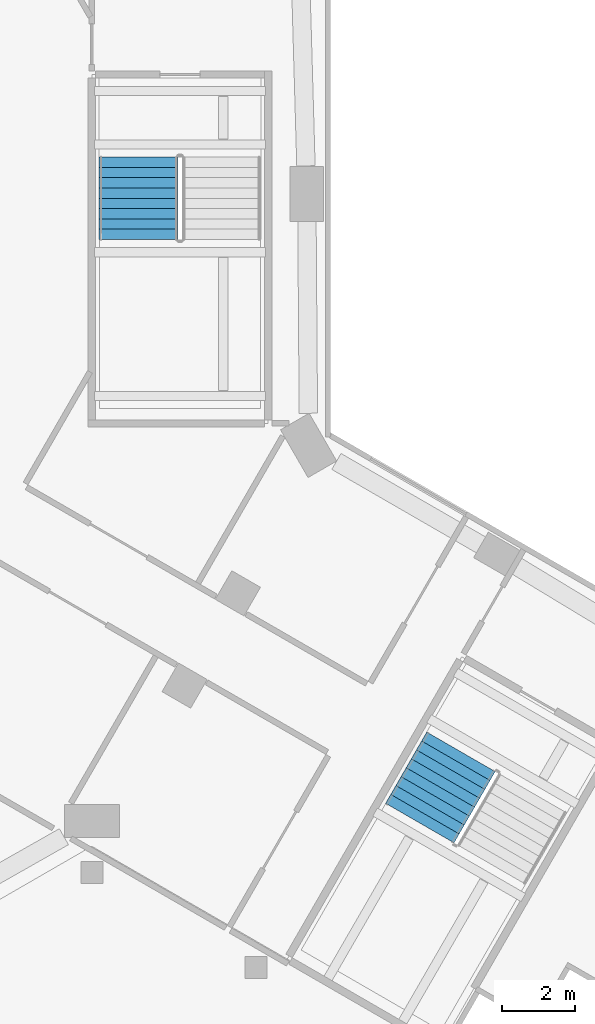
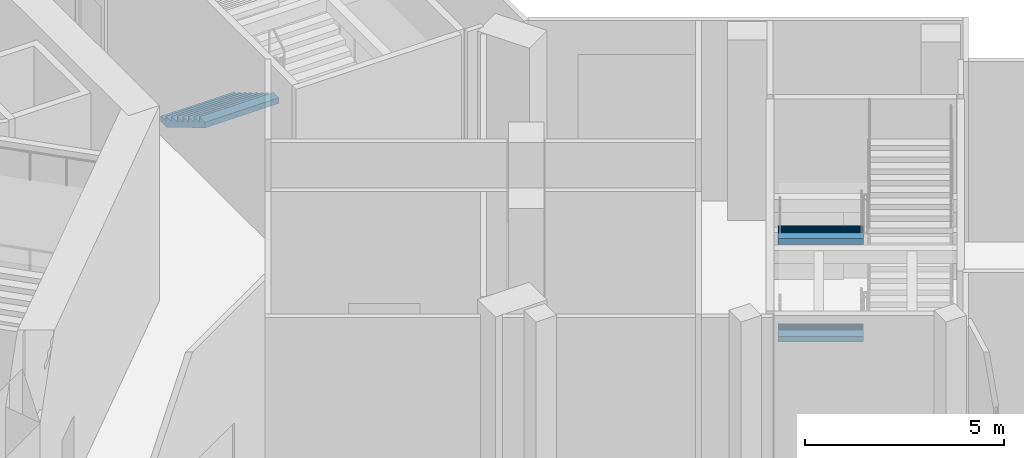
# One storey, part 19 of 29: 3 stair flights, 2 elements without a shape of their own.
"""IFC4 building model written with IfcOpenShell, lengths in metres."""

from ifc_helpers import new_model, si_unit, direction, frame, origin, place, context, subcontext, project, spatial, triangles, material, type_object, element, aggregate, save


model = new_model("IFC4")

# Units and contexts
model_context = context("Model", 3, precision=1e-05, world=origin(), true_north=direction((0.0, 1.0)))
body_context = subcontext(model_context, "Body", "Model", "MODEL_VIEW")
ifc_project = project(units=[si_unit("LENGTHUNIT", "METRE"), si_unit("AREAUNIT", "SQUARE_METRE"), si_unit("VOLUMEUNIT", "CUBIC_METRE"), si_unit("PLANEANGLEUNIT", "RADIAN"), si_unit("MASSUNIT", "GRAM", prefix="KILO")], contexts=[model_context])

# Site, building, storey
site_placement = place(None, origin())
site = spatial("IfcSite", under=ifc_project, at=site_placement, CompositionType="ELEMENT")
building_placement = place(site_placement, origin())
building = spatial("IfcBuilding", under=site, at=building_placement, Name="Verdalira Terraces Hotel", CompositionType="ELEMENT")
storey_placement = place(building_placement, frame((0.0, 0.0, 8.0)))
storey = spatial("IfcBuildingStorey", under=building, at=storey_placement, Name="L01", CompositionType="ELEMENT", Elevation=8.0)

# Stair, stair flights
ifc_material_1 = material(Name="Concrete C40", Category="concrete")
stair_type = type_object("IfcStairType", Name="Podium stair 36 risers", PredefinedType="HALF_TURN_STAIR", material=ifc_material_1)
stair_1_placement = place(storey_placement, origin())
stair_1 = element("IfcStair", 1, at=stair_1_placement, inside=storey, type_object=stair_type, Name="L01 Exit stair PS3", PredefinedType="HALF_TURN_STAIR")
ifc_material_2 = material(Name="Concrete C40", Category="concrete")
stair_flight_type = type_object("IfcStairFlightType", Name="Podium stair flight 36 risers", PredefinedType="STRAIGHT", material=ifc_material_2)
stair_flight_1_placement = place(storey_placement, frame((27.806396, -15.187988, 0.0), z_axis=(0.0, 0.0, 1.0), x_axis=(-0.5, -0.866025404, 0.0)))
stair_flight_1 = element("IfcStairFlight", 2, at=stair_flight_1_placement, type_object=stair_flight_type, Name="PS3 flight 1", NumberOfRisers=9, NumberOfTreads=8, PredefinedType="STRAIGHT", RiserHeight=0.166666667, TreadLength=0.28, context=body_context, shape_type="Tessellation", body=[
    triangles([(0.0, 1.074951, 0.0), (0.292969, 1.074951, 0.0), (2.23999, 1.074951, 1.158936), (0.0, -1.074951, 0.0), (0.292969, -1.074951, 0.0), (2.23999, -1.074951, 1.158936), (2.23999, 1.074951, 1.333252), (1.959961, 1.074951, 1.333252), (2.23999, -1.074951, 1.333252), (1.959961, -1.074951, 1.333252), (1.959961, 1.074951, 1.166748), (1.959961, -1.074951, 1.166748), (1.679932, 1.074951, 1.166748), (1.679932, -1.074951, 1.166748), (1.679932, 1.074951, 1.0), (1.679932, -1.074951, 1.0), (1.399902, 1.074951, 1.0), (1.399902, 1.074951, 0.833252), (1.399902, -1.074951, 1.0), (1.399902, -1.074951, 0.833252), (1.120117, 1.074951, 0.833252), (1.120117, 1.074951, 0.666748), (1.120117, -1.074951, 0.833252), (1.120117, -1.074951, 0.666748), (0.840088, 1.074951, 0.666748), (0.840088, 1.074951, 0.5), (0.840088, -1.074951, 0.666748), (0.840088, -1.074951, 0.5), (0.560059, 1.074951, 0.5), (0.560059, 1.074951, 0.333252), (0.560059, -1.074951, 0.5), (0.560059, -1.074951, 0.333252), (0.280029, 1.074951, 0.333252), (0.280029, 1.074951, 0.166748), (0.280029, -1.074951, 0.333252), (0.280029, -1.074951, 0.166748), (0.0, 1.074951, 0.166748), (0.0, -1.074951, 0.166748), (0.0, -1.007767, 0.0), (0.0, -1.007767, 0.166748), (0.0, -0.940582, 0.0), (0.0, -0.940582, 0.166748), (0.0, -0.873398, 0.0), (0.0, -0.873398, 0.166748), (0.0, -0.806213, 0.0), (0.0, -0.806213, 0.166748), (0.0, -0.739029, 0.0), (0.0, -0.739029, 0.166748), (0.0, -0.671844, 0.0), (0.0, -0.671844, 0.166748), (0.0, -0.60466, 0.0), (0.0, -0.60466, 0.166748), (0.0, -0.537476, 0.0), (0.0, -0.537476, 0.166748), (0.0, -0.470291, 0.0), (0.0, -0.470291, 0.166748), (0.0, -0.403107, 0.0), (0.0, -0.403107, 0.166748), (0.0, -0.335922, 0.0), (0.0, -0.335922, 0.166748), (0.0, -0.268738, 0.0), (0.0, -0.268738, 0.166748), (0.0, -0.201553, 0.0), (0.0, -0.201553, 0.166748), (0.0, -0.134369, 0.0), (0.0, -0.134369, 0.166748), (0.0, -0.067184, 0.0), (0.0, -0.067184, 0.166748), (0.0, 0.0, 0.0), (0.0, 0.0, 0.166748), (0.0, 0.067184, 0.0), (0.0, 0.067184, 0.166748), (0.0, 0.134369, 0.0), (0.0, 0.134369, 0.166748), (0.0, 0.201553, 0.0), (0.0, 0.201553, 0.166748), (0.0, 0.268738, 0.0), (0.0, 0.268738, 0.166748), (0.0, 0.335922, 0.0), (0.0, 0.335922, 0.166748), (0.0, 0.403107, 0.0), (0.0, 0.403107, 0.166748), (0.0, 0.470291, 0.0), (0.0, 0.470291, 0.166748), (0.0, 0.537476, 0.0), (0.0, 0.537476, 0.166748), (0.0, 0.60466, 0.0), (0.0, 0.60466, 0.166748), (0.0, 0.671844, 0.0), (0.0, 0.671844, 0.166748), (0.0, 0.739029, 0.0), (0.0, 0.739029, 0.166748), (0.0, 0.806213, 0.0), (0.0, 0.806213, 0.166748), (0.0, 0.873398, 0.0), (0.0, 0.873398, 0.166748), (0.0, 0.940582, 0.0), (0.0, 0.940582, 0.166748), (0.0, 1.007767, 0.0), (0.0, 1.007767, 0.166748), (2.23999, -1.007767, 1.333252), (2.23999, -0.940582, 1.333252), (2.23999, -0.873398, 1.333252), (2.23999, -0.806213, 1.333252), (2.23999, -0.739029, 1.333252), (2.23999, -0.671844, 1.333252), (2.23999, -0.60466, 1.333252), (2.23999, -0.537476, 1.333252), (2.23999, -0.470291, 1.333252), (2.23999, -0.403107, 1.333252), (2.23999, -0.335922, 1.333252), (2.23999, -0.268738, 1.333252), (2.23999, -0.201553, 1.333252), (2.23999, -0.134369, 1.333252), (2.23999, -0.067184, 1.333252), (2.23999, 0.0, 1.333252), (2.23999, 0.067184, 1.333252), (2.23999, 0.134369, 1.333252), (2.23999, 0.201553, 1.333252), (2.23999, 0.268738, 1.333252), (2.23999, 0.335922, 1.333252), (2.23999, 0.403107, 1.333252), (2.23999, 0.470291, 1.333252), (2.23999, 0.537476, 1.333252), (2.23999, 0.60466, 1.333252), (2.23999, 0.671844, 1.333252), (2.23999, 0.739029, 1.333252), (2.23999, 0.806213, 1.333252), (2.23999, 0.873398, 1.333252), (2.23999, 0.940582, 1.333252), (2.23999, 1.007767, 1.333252), (2.23999, -1.007767, 1.158936), (2.23999, -0.940582, 1.158936), (2.23999, -0.873398, 1.158936), (2.23999, -0.806213, 1.158936), (2.23999, -0.739029, 1.158936), (2.23999, -0.671844, 1.158936), (2.23999, -0.60466, 1.158936), (2.23999, -0.537476, 1.158936), (2.23999, -0.470291, 1.158936), (2.23999, -0.403107, 1.158936), (2.23999, -0.335922, 1.158936), (2.23999, -0.268738, 1.158936), (2.23999, -0.201553, 1.158936), (2.23999, -0.134369, 1.158936), (2.23999, -0.067184, 1.158936), (2.23999, 0.0, 1.158936), (2.23999, 0.067184, 1.158936), (2.23999, 0.134369, 1.158936), (2.23999, 0.201553, 1.158936), (2.23999, 0.268738, 1.158936), (2.23999, 0.335922, 1.158936), (2.23999, 0.403107, 1.158936), (2.23999, 0.470291, 1.158936), (2.23999, 0.537476, 1.158936), (2.23999, 0.60466, 1.158936), (2.23999, 0.671844, 1.158936), (2.23999, 0.739029, 1.158936), (2.23999, 0.806213, 1.158936), (2.23999, 0.873398, 1.158936), (2.23999, 0.940582, 1.158936), (2.23999, 1.007767, 1.158936)], [[1, 3, 2], [4, 5, 6], [3, 8, 7], [6, 9, 10], [3, 11, 8], [6, 10, 12], [3, 13, 11], [6, 12, 14], [3, 15, 13], [6, 14, 16], [15, 18, 17], [16, 19, 20], [3, 18, 15], [6, 16, 20], [18, 22, 21], [20, 23, 24], [3, 22, 18], [6, 20, 24], [22, 26, 25], [24, 27, 28], [3, 26, 22], [6, 24, 28], [26, 30, 29], [28, 31, 32], [3, 30, 26], [6, 28, 32], [1, 30, 3], [4, 6, 32], [30, 34, 33], [32, 35, 36], [1, 34, 30], [4, 32, 36], [34, 1, 37], [36, 38, 4], [4, 40, 39], [4, 38, 40], [39, 42, 41], [39, 40, 42], [41, 44, 43], [41, 42, 44], [43, 46, 45], [43, 44, 46], [45, 48, 47], [45, 46, 48], [47, 50, 49], [47, 48, 50], [49, 52, 51], [49, 50, 52], [51, 54, 53], [51, 52, 54], [53, 56, 55], [53, 54, 56], [55, 58, 57], [55, 56, 58], [57, 60, 59], [57, 58, 60], [59, 62, 61], [59, 60, 62], [61, 64, 63], [61, 62, 64], [63, 66, 65], [63, 64, 66], [65, 68, 67], [65, 66, 68], [67, 70, 69], [67, 68, 70], [69, 72, 71], [69, 70, 72], [71, 74, 73], [71, 72, 74], [73, 76, 75], [73, 74, 76], [75, 78, 77], [75, 76, 78], [77, 80, 79], [77, 78, 80], [79, 82, 81], [79, 80, 82], [81, 84, 83], [81, 82, 84], [83, 86, 85], [83, 84, 86], [85, 88, 87], [85, 86, 88], [87, 90, 89], [87, 88, 90], [89, 92, 91], [89, 90, 92], [91, 94, 93], [91, 92, 94], [93, 96, 95], [93, 94, 96], [95, 98, 97], [95, 96, 98], [97, 100, 99], [97, 98, 100], [99, 37, 1], [99, 100, 37], [38, 36, 40], [40, 36, 42], [42, 36, 44], [44, 36, 46], [46, 36, 48], [48, 36, 50], [50, 36, 52], [52, 36, 54], [54, 36, 56], [56, 36, 58], [58, 36, 60], [60, 36, 62], [62, 36, 64], [64, 36, 66], [66, 36, 68], [68, 36, 70], [70, 36, 72], [72, 36, 74], [74, 36, 76], [76, 36, 78], [78, 36, 80], [80, 36, 82], [82, 36, 84], [84, 36, 86], [86, 36, 88], [88, 36, 90], [90, 36, 92], [92, 36, 94], [94, 36, 96], [96, 36, 98], [98, 36, 100], [100, 36, 37], [37, 36, 34], [36, 33, 34], [36, 35, 33], [35, 30, 33], [35, 32, 30], [32, 29, 30], [32, 31, 29], [31, 26, 29], [31, 28, 26], [28, 25, 26], [28, 27, 25], [27, 22, 25], [27, 24, 22], [24, 21, 22], [24, 23, 21], [23, 18, 21], [23, 20, 18], [20, 17, 18], [20, 19, 17], [19, 15, 17], [19, 16, 15], [16, 13, 15], [16, 14, 13], [14, 11, 13], [14, 12, 11], [12, 8, 11], [12, 10, 8], [9, 101, 10], [101, 102, 10], [102, 103, 10], [103, 104, 10], [104, 105, 10], [105, 106, 10], [106, 107, 10], [107, 108, 10], [108, 109, 10], [109, 110, 10], [110, 111, 10], [111, 112, 10], [112, 113, 10], [113, 114, 10], [114, 115, 10], [115, 116, 10], [116, 117, 10], [117, 118, 10], [118, 119, 10], [119, 120, 10], [120, 121, 10], [121, 122, 10], [122, 123, 10], [123, 124, 10], [124, 125, 10], [125, 126, 10], [126, 127, 10], [127, 128, 10], [128, 129, 10], [129, 130, 10], [130, 131, 10], [131, 7, 10], [7, 8, 10], [9, 132, 101], [9, 6, 132], [101, 133, 102], [101, 132, 133], [102, 134, 103], [102, 133, 134], [103, 135, 104], [103, 134, 135], [104, 136, 105], [104, 135, 136], [105, 137, 106], [105, 136, 137], [106, 138, 107], [106, 137, 138], [107, 139, 108], [107, 138, 139], [108, 140, 109], [108, 139, 140], [109, 141, 110], [109, 140, 141], [110, 142, 111], [110, 141, 142], [111, 143, 112], [111, 142, 143], [112, 144, 113], [112, 143, 144], [113, 145, 114], [113, 144, 145], [114, 146, 115], [114, 145, 146], [115, 147, 116], [115, 146, 147], [116, 148, 117], [116, 147, 148], [117, 149, 118], [117, 148, 149], [118, 150, 119], [118, 149, 150], [119, 151, 120], [119, 150, 151], [120, 152, 121], [120, 151, 152], [121, 153, 122], [121, 152, 153], [122, 154, 123], [122, 153, 154], [123, 155, 124], [123, 154, 155], [124, 156, 125], [124, 155, 156], [125, 157, 126], [125, 156, 157], [126, 158, 127], [126, 157, 158], [127, 159, 128], [127, 158, 159], [128, 160, 129], [128, 159, 160], [129, 161, 130], [129, 160, 161], [130, 162, 131], [130, 161, 162], [131, 3, 7], [131, 162, 3], [6, 5, 132], [132, 5, 133], [133, 5, 134], [134, 5, 135], [135, 5, 136], [136, 5, 137], [137, 5, 138], [138, 5, 139], [139, 5, 140], [140, 5, 141], [141, 5, 142], [142, 5, 143], [143, 5, 144], [144, 5, 145], [145, 5, 146], [146, 5, 147], [147, 5, 148], [148, 5, 149], [149, 5, 150], [150, 5, 151], [151, 5, 152], [152, 5, 153], [153, 5, 154], [154, 5, 155], [155, 5, 156], [156, 5, 157], [157, 5, 158], [158, 5, 159], [159, 5, 160], [160, 5, 161], [161, 5, 162], [162, 5, 3], [3, 5, 2], [4, 39, 5], [39, 41, 5], [41, 43, 5], [43, 45, 5], [45, 47, 5], [47, 49, 5], [49, 51, 5], [51, 53, 5], [53, 55, 5], [55, 57, 5], [57, 59, 5], [59, 61, 5], [61, 63, 5], [63, 65, 5], [65, 67, 5], [67, 69, 5], [69, 71, 5], [71, 73, 5], [73, 75, 5], [75, 77, 5], [77, 79, 5], [79, 81, 5], [81, 83, 5], [83, 85, 5], [85, 87, 5], [87, 89, 5], [89, 91, 5], [91, 93, 5], [93, 95, 5], [95, 97, 5], [97, 99, 5], [99, 1, 5], [1, 2, 5]], closed=True),
])
stair_flight_2_placement = place(storey_placement, frame((27.806396, -15.187988, 3.0), z_axis=(0.0, 0.0, 1.0), x_axis=(-0.5, -0.866025404, 0.0)))
stair_flight_2 = element("IfcStairFlight", 3, at=stair_flight_2_placement, type_object=stair_flight_type, Name="PS3 flight 3", NumberOfRisers=9, NumberOfTreads=8, PredefinedType="STRAIGHT", RiserHeight=0.166666667, TreadLength=0.28, context=body_context, shape_type="Tessellation", body=[
    triangles([(0.0, 1.074951, 0.0), (0.292969, 1.074951, 0.0), (2.23999, 1.074951, 1.158936), (0.0, -1.074951, 0.0), (0.292969, -1.074951, 0.0), (2.23999, -1.074951, 1.158936), (2.23999, 1.074951, 1.333252), (1.959961, 1.074951, 1.333252), (2.23999, -1.074951, 1.333252), (1.959961, -1.074951, 1.333252), (1.959961, 1.074951, 1.166748), (1.959961, -1.074951, 1.166748), (1.679932, 1.074951, 1.166748), (1.679932, -1.074951, 1.166748), (1.679932, 1.074951, 1.0), (1.679932, -1.074951, 1.0), (1.399902, 1.074951, 1.0), (1.399902, 1.074951, 0.833252), (1.399902, -1.074951, 1.0), (1.399902, -1.074951, 0.833252), (1.120117, 1.074951, 0.833252), (1.120117, 1.074951, 0.666748), (1.120117, -1.074951, 0.833252), (1.120117, -1.074951, 0.666748), (0.840088, 1.074951, 0.666748), (0.840088, 1.074951, 0.5), (0.840088, -1.074951, 0.666748), (0.840088, -1.074951, 0.5), (0.560059, 1.074951, 0.5), (0.560059, 1.074951, 0.333252), (0.560059, -1.074951, 0.5), (0.560059, -1.074951, 0.333252), (0.280029, 1.074951, 0.333252), (0.280029, 1.074951, 0.166748), (0.280029, -1.074951, 0.333252), (0.280029, -1.074951, 0.166748), (0.0, 1.074951, 0.166748), (0.0, -1.074951, 0.166748), (0.0, -1.007767, 0.0), (0.0, -1.007767, 0.166748), (0.0, -0.940582, 0.0), (0.0, -0.940582, 0.166748), (0.0, -0.873398, 0.0), (0.0, -0.873398, 0.166748), (0.0, -0.806213, 0.0), (0.0, -0.806213, 0.166748), (0.0, -0.739029, 0.0), (0.0, -0.739029, 0.166748), (0.0, -0.671844, 0.0), (0.0, -0.671844, 0.166748), (0.0, -0.60466, 0.0), (0.0, -0.60466, 0.166748), (0.0, -0.537476, 0.0), (0.0, -0.537476, 0.166748), (0.0, -0.470291, 0.0), (0.0, -0.470291, 0.166748), (0.0, -0.403107, 0.0), (0.0, -0.403107, 0.166748), (0.0, -0.335922, 0.0), (0.0, -0.335922, 0.166748), (0.0, -0.268738, 0.0), (0.0, -0.268738, 0.166748), (0.0, -0.201553, 0.0), (0.0, -0.201553, 0.166748), (0.0, -0.134369, 0.0), (0.0, -0.134369, 0.166748), (0.0, -0.067184, 0.0), (0.0, -0.067184, 0.166748), (0.0, 0.0, 0.0), (0.0, 0.0, 0.166748), (0.0, 0.067184, 0.0), (0.0, 0.067184, 0.166748), (0.0, 0.134369, 0.0), (0.0, 0.134369, 0.166748), (0.0, 0.201553, 0.0), (0.0, 0.201553, 0.166748), (0.0, 0.268738, 0.0), (0.0, 0.268738, 0.166748), (0.0, 0.335922, 0.0), (0.0, 0.335922, 0.166748), (0.0, 0.403107, 0.0), (0.0, 0.403107, 0.166748), (0.0, 0.470291, 0.0), (0.0, 0.470291, 0.166748), (0.0, 0.537476, 0.0), (0.0, 0.537476, 0.166748), (0.0, 0.60466, 0.0), (0.0, 0.60466, 0.166748), (0.0, 0.671844, 0.0), (0.0, 0.671844, 0.166748), (0.0, 0.739029, 0.0), (0.0, 0.739029, 0.166748), (0.0, 0.806213, 0.0), (0.0, 0.806213, 0.166748), (0.0, 0.873398, 0.0), (0.0, 0.873398, 0.166748), (0.0, 0.940582, 0.0), (0.0, 0.940582, 0.166748), (0.0, 1.007767, 0.0), (0.0, 1.007767, 0.166748), (2.23999, -1.007767, 1.333252), (2.23999, -0.940582, 1.333252), (2.23999, -0.873398, 1.333252), (2.23999, -0.806213, 1.333252), (2.23999, -0.739029, 1.333252), (2.23999, -0.671844, 1.333252), (2.23999, -0.60466, 1.333252), (2.23999, -0.537476, 1.333252), (2.23999, -0.470291, 1.333252), (2.23999, -0.403107, 1.333252), (2.23999, -0.335922, 1.333252), (2.23999, -0.268738, 1.333252), (2.23999, -0.201553, 1.333252), (2.23999, -0.134369, 1.333252), (2.23999, -0.067184, 1.333252), (2.23999, 0.0, 1.333252), (2.23999, 0.067184, 1.333252), (2.23999, 0.134369, 1.333252), (2.23999, 0.201553, 1.333252), (2.23999, 0.268738, 1.333252), (2.23999, 0.335922, 1.333252), (2.23999, 0.403107, 1.333252), (2.23999, 0.470291, 1.333252), (2.23999, 0.537476, 1.333252), (2.23999, 0.60466, 1.333252), (2.23999, 0.671844, 1.333252), (2.23999, 0.739029, 1.333252), (2.23999, 0.806213, 1.333252), (2.23999, 0.873398, 1.333252), (2.23999, 0.940582, 1.333252), (2.23999, 1.007767, 1.333252), (2.23999, -1.007767, 1.158936), (2.23999, -0.940582, 1.158936), (2.23999, -0.873398, 1.158936), (2.23999, -0.806213, 1.158936), (2.23999, -0.739029, 1.158936), (2.23999, -0.671844, 1.158936), (2.23999, -0.60466, 1.158936), (2.23999, -0.537476, 1.158936), (2.23999, -0.470291, 1.158936), (2.23999, -0.403107, 1.158936), (2.23999, -0.335922, 1.158936), (2.23999, -0.268738, 1.158936), (2.23999, -0.201553, 1.158936), (2.23999, -0.134369, 1.158936), (2.23999, -0.067184, 1.158936), (2.23999, 0.0, 1.158936), (2.23999, 0.067184, 1.158936), (2.23999, 0.134369, 1.158936), (2.23999, 0.201553, 1.158936), (2.23999, 0.268738, 1.158936), (2.23999, 0.335922, 1.158936), (2.23999, 0.403107, 1.158936), (2.23999, 0.470291, 1.158936), (2.23999, 0.537476, 1.158936), (2.23999, 0.60466, 1.158936), (2.23999, 0.671844, 1.158936), (2.23999, 0.739029, 1.158936), (2.23999, 0.806213, 1.158936), (2.23999, 0.873398, 1.158936), (2.23999, 0.940582, 1.158936), (2.23999, 1.007767, 1.158936)], [[1, 3, 2], [4, 5, 6], [3, 8, 7], [6, 9, 10], [3, 11, 8], [6, 10, 12], [3, 13, 11], [6, 12, 14], [3, 15, 13], [6, 14, 16], [15, 18, 17], [16, 19, 20], [3, 18, 15], [6, 16, 20], [18, 22, 21], [20, 23, 24], [3, 22, 18], [6, 20, 24], [22, 26, 25], [24, 27, 28], [3, 26, 22], [6, 24, 28], [26, 30, 29], [28, 31, 32], [3, 30, 26], [6, 28, 32], [1, 30, 3], [4, 6, 32], [30, 34, 33], [32, 35, 36], [1, 34, 30], [4, 32, 36], [34, 1, 37], [36, 38, 4], [4, 40, 39], [4, 38, 40], [39, 42, 41], [39, 40, 42], [41, 44, 43], [41, 42, 44], [43, 46, 45], [43, 44, 46], [45, 48, 47], [45, 46, 48], [47, 50, 49], [47, 48, 50], [49, 52, 51], [49, 50, 52], [51, 54, 53], [51, 52, 54], [53, 56, 55], [53, 54, 56], [55, 58, 57], [55, 56, 58], [57, 60, 59], [57, 58, 60], [59, 62, 61], [59, 60, 62], [61, 64, 63], [61, 62, 64], [63, 66, 65], [63, 64, 66], [65, 68, 67], [65, 66, 68], [67, 70, 69], [67, 68, 70], [69, 72, 71], [69, 70, 72], [71, 74, 73], [71, 72, 74], [73, 76, 75], [73, 74, 76], [75, 78, 77], [75, 76, 78], [77, 80, 79], [77, 78, 80], [79, 82, 81], [79, 80, 82], [81, 84, 83], [81, 82, 84], [83, 86, 85], [83, 84, 86], [85, 88, 87], [85, 86, 88], [87, 90, 89], [87, 88, 90], [89, 92, 91], [89, 90, 92], [91, 94, 93], [91, 92, 94], [93, 96, 95], [93, 94, 96], [95, 98, 97], [95, 96, 98], [97, 100, 99], [97, 98, 100], [99, 37, 1], [99, 100, 37], [38, 36, 40], [40, 36, 42], [42, 36, 44], [44, 36, 46], [46, 36, 48], [48, 36, 50], [50, 36, 52], [52, 36, 54], [54, 36, 56], [56, 36, 58], [58, 36, 60], [60, 36, 62], [62, 36, 64], [64, 36, 66], [66, 36, 68], [68, 36, 70], [70, 36, 72], [72, 36, 74], [74, 36, 76], [76, 36, 78], [78, 36, 80], [80, 36, 82], [82, 36, 84], [84, 36, 86], [86, 36, 88], [88, 36, 90], [90, 36, 92], [92, 36, 94], [94, 36, 96], [96, 36, 98], [98, 36, 100], [100, 36, 37], [37, 36, 34], [36, 33, 34], [36, 35, 33], [35, 30, 33], [35, 32, 30], [32, 29, 30], [32, 31, 29], [31, 26, 29], [31, 28, 26], [28, 25, 26], [28, 27, 25], [27, 22, 25], [27, 24, 22], [24, 21, 22], [24, 23, 21], [23, 18, 21], [23, 20, 18], [20, 17, 18], [20, 19, 17], [19, 15, 17], [19, 16, 15], [16, 13, 15], [16, 14, 13], [14, 11, 13], [14, 12, 11], [12, 8, 11], [12, 10, 8], [9, 101, 10], [101, 102, 10], [102, 103, 10], [103, 104, 10], [104, 105, 10], [105, 106, 10], [106, 107, 10], [107, 108, 10], [108, 109, 10], [109, 110, 10], [110, 111, 10], [111, 112, 10], [112, 113, 10], [113, 114, 10], [114, 115, 10], [115, 116, 10], [116, 117, 10], [117, 118, 10], [118, 119, 10], [119, 120, 10], [120, 121, 10], [121, 122, 10], [122, 123, 10], [123, 124, 10], [124, 125, 10], [125, 126, 10], [126, 127, 10], [127, 128, 10], [128, 129, 10], [129, 130, 10], [130, 131, 10], [131, 7, 10], [7, 8, 10], [9, 132, 101], [9, 6, 132], [101, 133, 102], [101, 132, 133], [102, 134, 103], [102, 133, 134], [103, 135, 104], [103, 134, 135], [104, 136, 105], [104, 135, 136], [105, 137, 106], [105, 136, 137], [106, 138, 107], [106, 137, 138], [107, 139, 108], [107, 138, 139], [108, 140, 109], [108, 139, 140], [109, 141, 110], [109, 140, 141], [110, 142, 111], [110, 141, 142], [111, 143, 112], [111, 142, 143], [112, 144, 113], [112, 143, 144], [113, 145, 114], [113, 144, 145], [114, 146, 115], [114, 145, 146], [115, 147, 116], [115, 146, 147], [116, 148, 117], [116, 147, 148], [117, 149, 118], [117, 148, 149], [118, 150, 119], [118, 149, 150], [119, 151, 120], [119, 150, 151], [120, 152, 121], [120, 151, 152], [121, 153, 122], [121, 152, 153], [122, 154, 123], [122, 153, 154], [123, 155, 124], [123, 154, 155], [124, 156, 125], [124, 155, 156], [125, 157, 126], [125, 156, 157], [126, 158, 127], [126, 157, 158], [127, 159, 128], [127, 158, 159], [128, 160, 129], [128, 159, 160], [129, 161, 130], [129, 160, 161], [130, 162, 131], [130, 161, 162], [131, 3, 7], [131, 162, 3], [6, 5, 132], [132, 5, 133], [133, 5, 134], [134, 5, 135], [135, 5, 136], [136, 5, 137], [137, 5, 138], [138, 5, 139], [139, 5, 140], [140, 5, 141], [141, 5, 142], [142, 5, 143], [143, 5, 144], [144, 5, 145], [145, 5, 146], [146, 5, 147], [147, 5, 148], [148, 5, 149], [149, 5, 150], [150, 5, 151], [151, 5, 152], [152, 5, 153], [153, 5, 154], [154, 5, 155], [155, 5, 156], [156, 5, 157], [157, 5, 158], [158, 5, 159], [159, 5, 160], [160, 5, 161], [161, 5, 162], [162, 5, 3], [3, 5, 2], [4, 39, 5], [39, 41, 5], [41, 43, 5], [43, 45, 5], [45, 47, 5], [47, 49, 5], [49, 51, 5], [51, 53, 5], [53, 55, 5], [55, 57, 5], [57, 59, 5], [59, 61, 5], [61, 63, 5], [63, 65, 5], [65, 67, 5], [67, 69, 5], [69, 71, 5], [71, 73, 5], [73, 75, 5], [75, 77, 5], [77, 79, 5], [79, 81, 5], [81, 83, 5], [83, 85, 5], [85, 87, 5], [87, 89, 5], [89, 91, 5], [91, 93, 5], [93, 95, 5], [95, 97, 5], [97, 99, 5], [99, 1, 5], [1, 2, 5]], closed=True),
])
aggregate(stair_1, [stair_flight_1, stair_flight_2])

# Stair, stair flight
stair_2_placement = place(storey_placement, origin())
stair_2 = element("IfcStair", 4, at=stair_2_placement, inside=storey, type_object=stair_type, Name="L01 Exit stair PS4", PredefinedType="HALF_TURN_STAIR")
stair_flight_3_placement = place(storey_placement, frame((19.033447, 1.0, 0.0), z_axis=(0.0, 0.0, 1.0), x_axis=(0.0, -1.0, 0.0)))
stair_flight_3 = element("IfcStairFlight", 5, at=stair_flight_3_placement, type_object=stair_flight_type, Name="PS4 flight 1", NumberOfRisers=9, NumberOfTreads=8, PredefinedType="STRAIGHT", RiserHeight=0.166666667, TreadLength=0.28, context=body_context, shape_type="Tessellation", body=[
    triangles([(0.0, 1.074951, 0.0), (0.292969, 1.074951, 0.0), (2.23999, 1.074951, 1.158936), (0.0, -1.074951, 0.0), (0.292969, -1.074951, 0.0), (2.23999, -1.074951, 1.158936), (2.23999, 1.074951, 1.333252), (1.959961, 1.074951, 1.333252), (2.23999, -1.074951, 1.333252), (1.959961, -1.074951, 1.333252), (1.959961, 1.074951, 1.166748), (1.959961, -1.074951, 1.166748), (1.679932, 1.074951, 1.166748), (1.679932, -1.074951, 1.166748), (1.679932, 1.074951, 1.0), (1.679932, -1.074951, 1.0), (1.399902, 1.074951, 1.0), (1.399902, 1.074951, 0.833252), (1.399902, -1.074951, 1.0), (1.399902, -1.074951, 0.833252), (1.120117, 1.074951, 0.833252), (1.120117, 1.074951, 0.666748), (1.120117, -1.074951, 0.833252), (1.120117, -1.074951, 0.666748), (0.840088, 1.074951, 0.666748), (0.840088, 1.074951, 0.5), (0.840088, -1.074951, 0.666748), (0.840088, -1.074951, 0.5), (0.560059, 1.074951, 0.5), (0.560059, 1.074951, 0.333252), (0.560059, -1.074951, 0.5), (0.560059, -1.074951, 0.333252), (0.280029, 1.074951, 0.333252), (0.280029, 1.074951, 0.166748), (0.280029, -1.074951, 0.333252), (0.280029, -1.074951, 0.166748), (0.0, 1.074951, 0.166748), (0.0, -1.074951, 0.166748), (0.0, -1.007767, 0.0), (0.0, -1.007767, 0.166748), (0.0, -0.940582, 0.0), (0.0, -0.940582, 0.166748), (0.0, -0.873398, 0.0), (0.0, -0.873398, 0.166748), (0.0, -0.806213, 0.0), (0.0, -0.806213, 0.166748), (0.0, -0.739029, 0.0), (0.0, -0.739029, 0.166748), (0.0, -0.671844, 0.0), (0.0, -0.671844, 0.166748), (0.0, -0.60466, 0.0), (0.0, -0.60466, 0.166748), (0.0, -0.537476, 0.0), (0.0, -0.537476, 0.166748), (0.0, -0.470291, 0.0), (0.0, -0.470291, 0.166748), (0.0, -0.403107, 0.0), (0.0, -0.403107, 0.166748), (0.0, -0.335922, 0.0), (0.0, -0.335922, 0.166748), (0.0, -0.268738, 0.0), (0.0, -0.268738, 0.166748), (0.0, -0.201553, 0.0), (0.0, -0.201553, 0.166748), (0.0, -0.134369, 0.0), (0.0, -0.134369, 0.166748), (0.0, -0.067184, 0.0), (0.0, -0.067184, 0.166748), (0.0, 0.0, 0.0), (0.0, 0.0, 0.166748), (0.0, 0.067184, 0.0), (0.0, 0.067184, 0.166748), (0.0, 0.134369, 0.0), (0.0, 0.134369, 0.166748), (0.0, 0.201553, 0.0), (0.0, 0.201553, 0.166748), (0.0, 0.268738, 0.0), (0.0, 0.268738, 0.166748), (0.0, 0.335922, 0.0), (0.0, 0.335922, 0.166748), (0.0, 0.403107, 0.0), (0.0, 0.403107, 0.166748), (0.0, 0.470291, 0.0), (0.0, 0.470291, 0.166748), (0.0, 0.537476, 0.0), (0.0, 0.537476, 0.166748), (0.0, 0.60466, 0.0), (0.0, 0.60466, 0.166748), (0.0, 0.671844, 0.0), (0.0, 0.671844, 0.166748), (0.0, 0.739029, 0.0), (0.0, 0.739029, 0.166748), (0.0, 0.806213, 0.0), (0.0, 0.806213, 0.166748), (0.0, 0.873398, 0.0), (0.0, 0.873398, 0.166748), (0.0, 0.940582, 0.0), (0.0, 0.940582, 0.166748), (0.0, 1.007767, 0.0), (0.0, 1.007767, 0.166748), (2.23999, -1.007767, 1.333252), (2.23999, -0.940582, 1.333252), (2.23999, -0.873398, 1.333252), (2.23999, -0.806213, 1.333252), (2.23999, -0.739029, 1.333252), (2.23999, -0.671844, 1.333252), (2.23999, -0.60466, 1.333252), (2.23999, -0.537476, 1.333252), (2.23999, -0.470291, 1.333252), (2.23999, -0.403107, 1.333252), (2.23999, -0.335922, 1.333252), (2.23999, -0.268738, 1.333252), (2.23999, -0.201553, 1.333252), (2.23999, -0.134369, 1.333252), (2.23999, -0.067184, 1.333252), (2.23999, 0.0, 1.333252), (2.23999, 0.067184, 1.333252), (2.23999, 0.134369, 1.333252), (2.23999, 0.201553, 1.333252), (2.23999, 0.268738, 1.333252), (2.23999, 0.335922, 1.333252), (2.23999, 0.403107, 1.333252), (2.23999, 0.470291, 1.333252), (2.23999, 0.537476, 1.333252), (2.23999, 0.60466, 1.333252), (2.23999, 0.671844, 1.333252), (2.23999, 0.739029, 1.333252), (2.23999, 0.806213, 1.333252), (2.23999, 0.873398, 1.333252), (2.23999, 0.940582, 1.333252), (2.23999, 1.007767, 1.333252), (2.23999, -1.007767, 1.158936), (2.23999, -0.940582, 1.158936), (2.23999, -0.873398, 1.158936), (2.23999, -0.806213, 1.158936), (2.23999, -0.739029, 1.158936), (2.23999, -0.671844, 1.158936), (2.23999, -0.60466, 1.158936), (2.23999, -0.537476, 1.158936), (2.23999, -0.470291, 1.158936), (2.23999, -0.403107, 1.158936), (2.23999, -0.335922, 1.158936), (2.23999, -0.268738, 1.158936), (2.23999, -0.201553, 1.158936), (2.23999, -0.134369, 1.158936), (2.23999, -0.067184, 1.158936), (2.23999, 0.0, 1.158936), (2.23999, 0.067184, 1.158936), (2.23999, 0.134369, 1.158936), (2.23999, 0.201553, 1.158936), (2.23999, 0.268738, 1.158936), (2.23999, 0.335922, 1.158936), (2.23999, 0.403107, 1.158936), (2.23999, 0.470291, 1.158936), (2.23999, 0.537476, 1.158936), (2.23999, 0.60466, 1.158936), (2.23999, 0.671844, 1.158936), (2.23999, 0.739029, 1.158936), (2.23999, 0.806213, 1.158936), (2.23999, 0.873398, 1.158936), (2.23999, 0.940582, 1.158936), (2.23999, 1.007767, 1.158936)], [[1, 3, 2], [4, 5, 6], [3, 8, 7], [6, 9, 10], [3, 11, 8], [6, 10, 12], [3, 13, 11], [6, 12, 14], [3, 15, 13], [6, 14, 16], [15, 18, 17], [16, 19, 20], [3, 18, 15], [6, 16, 20], [18, 22, 21], [20, 23, 24], [3, 22, 18], [6, 20, 24], [22, 26, 25], [24, 27, 28], [3, 26, 22], [6, 24, 28], [26, 30, 29], [28, 31, 32], [3, 30, 26], [6, 28, 32], [1, 30, 3], [4, 6, 32], [30, 34, 33], [32, 35, 36], [1, 34, 30], [4, 32, 36], [34, 1, 37], [36, 38, 4], [4, 40, 39], [4, 38, 40], [39, 42, 41], [39, 40, 42], [41, 44, 43], [41, 42, 44], [43, 46, 45], [43, 44, 46], [45, 48, 47], [45, 46, 48], [47, 50, 49], [47, 48, 50], [49, 52, 51], [49, 50, 52], [51, 54, 53], [51, 52, 54], [53, 56, 55], [53, 54, 56], [55, 58, 57], [55, 56, 58], [57, 60, 59], [57, 58, 60], [59, 62, 61], [59, 60, 62], [61, 64, 63], [61, 62, 64], [63, 66, 65], [63, 64, 66], [65, 68, 67], [65, 66, 68], [67, 70, 69], [67, 68, 70], [69, 72, 71], [69, 70, 72], [71, 74, 73], [71, 72, 74], [73, 76, 75], [73, 74, 76], [75, 78, 77], [75, 76, 78], [77, 80, 79], [77, 78, 80], [79, 82, 81], [79, 80, 82], [81, 84, 83], [81, 82, 84], [83, 86, 85], [83, 84, 86], [85, 88, 87], [85, 86, 88], [87, 90, 89], [87, 88, 90], [89, 92, 91], [89, 90, 92], [91, 94, 93], [91, 92, 94], [93, 96, 95], [93, 94, 96], [95, 98, 97], [95, 96, 98], [97, 100, 99], [97, 98, 100], [99, 37, 1], [99, 100, 37], [38, 36, 40], [40, 36, 42], [42, 36, 44], [44, 36, 46], [46, 36, 48], [48, 36, 50], [50, 36, 52], [52, 36, 54], [54, 36, 56], [56, 36, 58], [58, 36, 60], [60, 36, 62], [62, 36, 64], [64, 36, 66], [66, 36, 68], [68, 36, 70], [70, 36, 72], [72, 36, 74], [74, 36, 76], [76, 36, 78], [78, 36, 80], [80, 36, 82], [82, 36, 84], [84, 36, 86], [86, 36, 88], [88, 36, 90], [90, 36, 92], [92, 36, 94], [94, 36, 96], [96, 36, 98], [98, 36, 100], [100, 36, 37], [37, 36, 34], [36, 33, 34], [36, 35, 33], [35, 30, 33], [35, 32, 30], [32, 29, 30], [32, 31, 29], [31, 26, 29], [31, 28, 26], [28, 25, 26], [28, 27, 25], [27, 22, 25], [27, 24, 22], [24, 21, 22], [24, 23, 21], [23, 18, 21], [23, 20, 18], [20, 17, 18], [20, 19, 17], [19, 15, 17], [19, 16, 15], [16, 13, 15], [16, 14, 13], [14, 11, 13], [14, 12, 11], [12, 8, 11], [12, 10, 8], [9, 101, 10], [101, 102, 10], [102, 103, 10], [103, 104, 10], [104, 105, 10], [105, 106, 10], [106, 107, 10], [107, 108, 10], [108, 109, 10], [109, 110, 10], [110, 111, 10], [111, 112, 10], [112, 113, 10], [113, 114, 10], [114, 115, 10], [115, 116, 10], [116, 117, 10], [117, 118, 10], [118, 119, 10], [119, 120, 10], [120, 121, 10], [121, 122, 10], [122, 123, 10], [123, 124, 10], [124, 125, 10], [125, 126, 10], [126, 127, 10], [127, 128, 10], [128, 129, 10], [129, 130, 10], [130, 131, 10], [131, 7, 10], [7, 8, 10], [9, 132, 101], [9, 6, 132], [101, 133, 102], [101, 132, 133], [102, 134, 103], [102, 133, 134], [103, 135, 104], [103, 134, 135], [104, 136, 105], [104, 135, 136], [105, 137, 106], [105, 136, 137], [106, 138, 107], [106, 137, 138], [107, 139, 108], [107, 138, 139], [108, 140, 109], [108, 139, 140], [109, 141, 110], [109, 140, 141], [110, 142, 111], [110, 141, 142], [111, 143, 112], [111, 142, 143], [112, 144, 113], [112, 143, 144], [113, 145, 114], [113, 144, 145], [114, 146, 115], [114, 145, 146], [115, 147, 116], [115, 146, 147], [116, 148, 117], [116, 147, 148], [117, 149, 118], [117, 148, 149], [118, 150, 119], [118, 149, 150], [119, 151, 120], [119, 150, 151], [120, 152, 121], [120, 151, 152], [121, 153, 122], [121, 152, 153], [122, 154, 123], [122, 153, 154], [123, 155, 124], [123, 154, 155], [124, 156, 125], [124, 155, 156], [125, 157, 126], [125, 156, 157], [126, 158, 127], [126, 157, 158], [127, 159, 128], [127, 158, 159], [128, 160, 129], [128, 159, 160], [129, 161, 130], [129, 160, 161], [130, 162, 131], [130, 161, 162], [131, 3, 7], [131, 162, 3], [6, 5, 132], [132, 5, 133], [133, 5, 134], [134, 5, 135], [135, 5, 136], [136, 5, 137], [137, 5, 138], [138, 5, 139], [139, 5, 140], [140, 5, 141], [141, 5, 142], [142, 5, 143], [143, 5, 144], [144, 5, 145], [145, 5, 146], [146, 5, 147], [147, 5, 148], [148, 5, 149], [149, 5, 150], [150, 5, 151], [151, 5, 152], [152, 5, 153], [153, 5, 154], [154, 5, 155], [155, 5, 156], [156, 5, 157], [157, 5, 158], [158, 5, 159], [159, 5, 160], [160, 5, 161], [161, 5, 162], [162, 5, 3], [3, 5, 2], [4, 39, 5], [39, 41, 5], [41, 43, 5], [43, 45, 5], [45, 47, 5], [47, 49, 5], [49, 51, 5], [51, 53, 5], [53, 55, 5], [55, 57, 5], [57, 59, 5], [59, 61, 5], [61, 63, 5], [63, 65, 5], [65, 67, 5], [67, 69, 5], [69, 71, 5], [71, 73, 5], [73, 75, 5], [75, 77, 5], [77, 79, 5], [79, 81, 5], [81, 83, 5], [83, 85, 5], [85, 87, 5], [87, 89, 5], [89, 91, 5], [91, 93, 5], [93, 95, 5], [95, 97, 5], [97, 99, 5], [99, 1, 5], [1, 2, 5]], closed=True),
])
aggregate(stair_2, [stair_flight_3])

save(model, "model.ifc")
